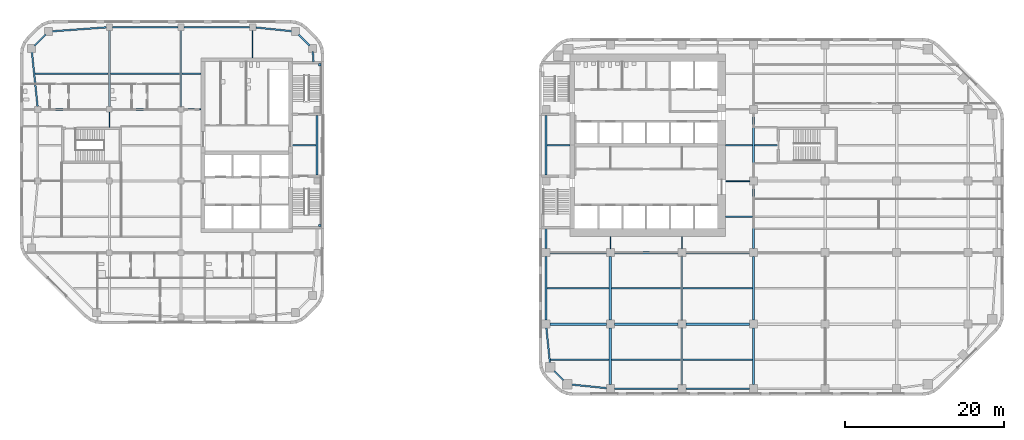
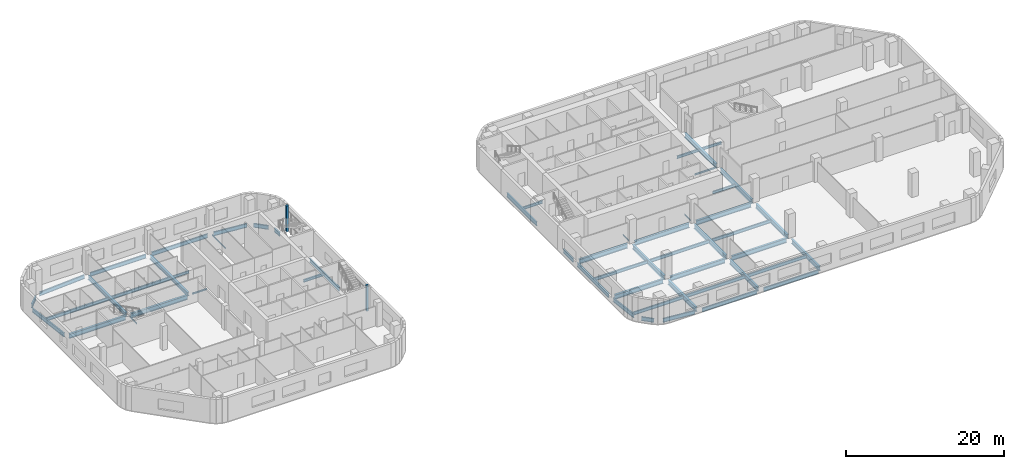
# One storey, part 2 of 15: 55 beams, 2 members.
"""IFC4 building model written with IfcOpenShell, lengths in metres."""

from ifc_helpers import new_model, si_unit, direction, frame, origin, origin_2d, place, context, subcontext, project, spatial, rectangle, i_section, extrude, material, material_profile, profile_set, type_object, element, save


model = new_model("IFC4")

# Units and contexts
model_context = context("Model", 3, precision=1e-05, world=origin(), true_north=direction((0.0, 1.0)))
body_context = subcontext(model_context, "Body", "Model", "MODEL_VIEW")
ifc_project = project(units=[si_unit("LENGTHUNIT", "METRE"), si_unit("AREAUNIT", "SQUARE_METRE"), si_unit("VOLUMEUNIT", "CUBIC_METRE"), si_unit("PLANEANGLEUNIT", "RADIAN"), si_unit("MASSUNIT", "GRAM", prefix="KILO")], contexts=[model_context])

# Site, building, storey
site_placement = place(None, origin())
site = spatial("IfcSite", under=ifc_project, at=site_placement, CompositionType="ELEMENT")
building_placement = place(site_placement, origin())
building = spatial("IfcBuilding", under=site, at=building_placement, Name="Cinnabar Reach Civic Tower", CompositionType="ELEMENT")
storey_placement = place(building_placement, frame((0.0, 0.0, 91.0)))
storey = spatial("IfcBuildingStorey", under=building, at=storey_placement, Name="L21", CompositionType="ELEMENT", Elevation=91.0)

# Beams
ifc_material_1 = material(Name="Steel Q355B", Category="steel")
ifc_material_profile_1 = material_profile(ifc_material_1, i_section(OverallWidth=0.302, OverallDepth=0.594, WebThickness=0.014, FlangeThickness=0.023, FilletRadius=0.016, at=origin_2d()), Name="HM594x302x14x23")
ifc_profile_set_1 = profile_set([ifc_material_profile_1], Name="Steel Q355B")
beam_type_1 = type_object("IfcBeamType", Name="HM594x302x14x23 beam R 120", PredefinedType="BEAM", material=ifc_profile_set_1)
for number, where, z_axis, x_axis, name in (
    (1, (-54.0, 36.352, -0.447), (0.0, 1.0, 0.0), (-1.0, 0.0, 0.0), "Girder T2 L21 5"),
    (2, (-45.0, 36.352, -0.447), (0.0, 1.0, 0.0), (-1.0, 0.0, 0.0), "Girder T2 L21 9"),
):
    element("IfcBeam", number, at=place(storey_placement, frame(where, z_axis=z_axis, x_axis=x_axis)), inside=storey, type_object=beam_type_1, Name=name, PredefinedType="BEAM", context=body_context, shape_type="SweptSolid", body=[
        extrude(i_section(OverallWidth=0.302, OverallDepth=0.594, WebThickness=0.014, FlangeThickness=0.023, FilletRadius=0.016, at=origin_2d()), origin(), (0.0, 0.0, 1.0), 9.596),
    ])
ifc_material_profile_2 = material_profile(ifc_material_1, i_section(OverallWidth=0.099, OverallDepth=0.198, WebThickness=0.0045, FlangeThickness=0.007, FilletRadius=0.013, at=origin_2d()), Name="HN200x100x5.5x8")
ifc_profile_set_2 = profile_set([ifc_material_profile_2], Name="Steel Q355B")
beam_type_2 = type_object("IfcBeamType", Name="HN200x100x5.5x8 beam R 120", PredefinedType="BEAM", material=ifc_profile_set_2)
beam_1_placement = place(storey_placement, frame((-54.0, 33.752, -0.249), z_axis=(0.0, 1.0, 0.0), x_axis=(-1.0, 0.0, 0.0)))
element("IfcBeam", 3, at=beam_1_placement, inside=storey, type_object=beam_type_2, Name="Girder T2 L21 4", PredefinedType="BEAM", context=body_context, shape_type="SweptSolid", body=[
    extrude(i_section(OverallWidth=0.099, OverallDepth=0.198, WebThickness=0.0045, FlangeThickness=0.007, FilletRadius=0.013, at=origin_2d()), origin(), (0.0, 0.0, 1.0), 1.896),
])
beam_2_placement = place(storey_placement, frame((-36.0, 42.502, -0.249), z_axis=(0.0, 1.0, 0.0), x_axis=(-1.0, 0.0, 0.0)))
element("IfcBeam", 4, at=beam_2_placement, inside=storey, type_object=beam_type_2, Name="Girder T2 L21 12", PredefinedType="BEAM", context=body_context, shape_type="SweptSolid", body=[
    extrude(i_section(OverallWidth=0.099, OverallDepth=0.198, WebThickness=0.0045, FlangeThickness=0.007, FilletRadius=0.013, at=origin_2d()), origin(), (0.0, 0.0, 1.0), 3.446),
])
ifc_material_profile_3 = material_profile(ifc_material_1, i_section(OverallWidth=0.099, OverallDepth=0.198, WebThickness=0.0045, FlangeThickness=0.007, FilletRadius=0.013, at=origin_2d()), Name="HN200x100x5.5x8")
ifc_profile_set_3 = profile_set([ifc_material_profile_3], Name="Steel Q355B")
beam_type_3 = type_object("IfcBeamType", Name="HN200x100x5.5x8 beam R 180", PredefinedType="BEAM", material=ifc_profile_set_3)
for number, where, z_axis, x_axis, name in (
    (5, (9.0, 18.502, -0.249), (0.0, 1.0, 0.0), (-1.0, 0.0, 0.0), "Girder T1 L21 3"),
    (6, (18.0, 18.502, -0.249), (0.0, 1.0, 0.0), (-1.0, 0.0, 0.0), "Girder T1 L21 6"),
):
    element("IfcBeam", number, at=place(storey_placement, frame(where, z_axis=z_axis, x_axis=x_axis)), inside=storey, type_object=beam_type_3, Name=name, PredefinedType="BEAM", context=body_context, shape_type="SweptSolid", body=[
        extrude(i_section(OverallWidth=0.099, OverallDepth=0.198, WebThickness=0.0045, FlangeThickness=0.007, FilletRadius=0.013, at=origin_2d()), origin(), (0.0, 0.0, 1.0), 1.496),
    ])
ifc_material_profile_4 = material_profile(ifc_material_1, i_section(OverallWidth=0.124, OverallDepth=0.248, WebThickness=0.005, FlangeThickness=0.008, FilletRadius=0.013, at=origin_2d()), Name="HN250x125x6x9")
ifc_profile_set_4 = profile_set([ifc_material_profile_4], Name="Steel Q355B")
beam_type_4 = type_object("IfcBeamType", Name="HN250x125x6x9 beam R 120", PredefinedType="BEAM", material=ifc_profile_set_4)
beam_3_placement = place(storey_placement, frame((-44.648, 36.0, -0.274), z_axis=(1.0, 0.0, 0.0), x_axis=(0.0, 1.0, 0.0)))
element("IfcBeam", 7, at=beam_3_placement, inside=storey, type_object=beam_type_4, Name="Girder T2 L21 10", PredefinedType="BEAM", context=body_context, shape_type="SweptSolid", body=[
    extrude(i_section(OverallWidth=0.124, OverallDepth=0.248, WebThickness=0.005, FlangeThickness=0.008, FilletRadius=0.013, at=origin_2d()), origin(), (0.0, 0.0, 1.0), 2.146),
])
ifc_material_profile_5 = material_profile(ifc_material_1, i_section(OverallWidth=0.124, OverallDepth=0.248, WebThickness=0.005, FlangeThickness=0.008, FilletRadius=0.013, at=origin_2d()), Name="HN250x125x6x9")
ifc_profile_set_5 = profile_set([ifc_material_profile_5], Name="Steel Q355B")
beam_type_5 = type_object("IfcBeamType", Name="HN250x125x6x9 beam R 180", PredefinedType="BEAM", material=ifc_profile_set_5)
beam_4_placement = place(storey_placement, frame((23.502, 27.0, -0.274), z_axis=(1.0, 0.0, 0.0), x_axis=(0.0, 1.0, 0.0)))
element("IfcBeam", 8, at=beam_4_placement, inside=storey, type_object=beam_type_5, Name="Girder T1 L21 15", PredefinedType="BEAM", context=body_context, shape_type="SweptSolid", body=[
    extrude(i_section(OverallWidth=0.124, OverallDepth=0.248, WebThickness=0.005, FlangeThickness=0.008, FilletRadius=0.013, at=origin_2d()), origin(), (0.0, 0.0, 1.0), 2.996),
])
ifc_material_profile_6 = material_profile(ifc_material_1, i_section(OverallWidth=0.199, OverallDepth=0.396, WebThickness=0.007, FlangeThickness=0.011, FilletRadius=0.013, at=origin_2d()), Name="HN396x199x7x11")
ifc_profile_set_6 = profile_set([ifc_material_profile_6], Name="Steel Q355B")
beam_type_6 = type_object("IfcBeamType", Name="HN396x199x7x11 beam R 120", PredefinedType="BEAM", material=ifc_profile_set_6)
beam_5_placement = place(storey_placement, frame((-30.998, 31.5, -0.348), z_axis=(1.0, 0.0, 0.0), x_axis=(0.0, 1.0, 0.0)))
element("IfcBeam", 9, at=beam_5_placement, inside=storey, type_object=beam_type_6, Name="Secondary beam T2 L21 11", PredefinedType="BEAM", context=body_context, shape_type="SweptSolid", body=[
    extrude(i_section(OverallWidth=0.199, OverallDepth=0.396, WebThickness=0.007, FlangeThickness=0.011, FilletRadius=0.013, at=origin_2d()), origin(), (0.0, 0.0, 1.0), 2.996),
])
beam_6_placement = place(storey_placement, frame((-44.847, 40.5, -0.348), z_axis=(1.0, 0.0, 0.0), x_axis=(0.0, 1.0, 0.0)))
element("IfcBeam", 10, at=beam_6_placement, inside=storey, type_object=beam_type_6, Name="Secondary beam T2 L21 14", PredefinedType="BEAM", context=body_context, shape_type="SweptSolid", body=[
    extrude(i_section(OverallWidth=0.199, OverallDepth=0.396, WebThickness=0.007, FlangeThickness=0.011, FilletRadius=0.013, at=origin_2d()), origin(), (0.0, 0.0, 1.0), 2.345),
])
ifc_material_profile_7 = material_profile(ifc_material_1, i_section(OverallWidth=0.2, OverallDepth=0.4, WebThickness=0.008, FlangeThickness=0.013, FilletRadius=0.016, at=origin_2d()), Name="HN400x200x8x13")
ifc_profile_set_7 = profile_set([ifc_material_profile_7], Name="Steel Q355B")
beam_type_7 = type_object("IfcBeamType", Name="HN400x200x8x13 beam R 180", PredefinedType="BEAM", material=ifc_profile_set_7)
beam_7_placement = place(storey_placement, frame((23.502, 22.5, -0.35), z_axis=(1.0, 0.0, 0.0), x_axis=(0.0, 1.0, 0.0)))
element("IfcBeam", 11, at=beam_7_placement, inside=storey, type_object=beam_type_7, Name="Secondary beam T1 L21 14", PredefinedType="BEAM", context=body_context, shape_type="SweptSolid", body=[
    extrude(i_section(OverallWidth=0.2, OverallDepth=0.4, WebThickness=0.008, FlangeThickness=0.013, FilletRadius=0.016, at=origin_2d()), origin(), (0.0, 0.0, 1.0), 3.346),
])
beam_8_placement = place(storey_placement, frame((1.002, 31.5, -0.35), z_axis=(1.0, 0.0, 0.0), x_axis=(0.0, 1.0, 0.0)))
element("IfcBeam", 12, at=beam_8_placement, inside=storey, type_object=beam_type_7, Name="Secondary beam T1 L21 19", PredefinedType="BEAM", context=body_context, shape_type="SweptSolid", body=[
    extrude(i_section(OverallWidth=0.2, OverallDepth=0.4, WebThickness=0.008, FlangeThickness=0.013, FilletRadius=0.016, at=origin_2d()), origin(), (0.0, 0.0, 1.0), 2.896),
])
beam_9_placement = place(storey_placement, frame((23.502, 31.5, -0.35), z_axis=(1.0, 0.0, 0.0), x_axis=(0.0, 1.0, 0.0)))
element("IfcBeam", 13, at=beam_9_placement, inside=storey, type_object=beam_type_7, Name="Secondary beam T1 L21 20", PredefinedType="BEAM", context=body_context, shape_type="SweptSolid", body=[
    extrude(i_section(OverallWidth=0.2, OverallDepth=0.4, WebThickness=0.008, FlangeThickness=0.013, FilletRadius=0.016, at=origin_2d()), origin(), (0.0, 0.0, 1.0), 3.346),
])
beam_10_placement = place(storey_placement, frame((27.152, 31.5, -0.35), z_axis=(1.0, 0.0, 0.0), x_axis=(0.0, 1.0, 0.0)))
element("IfcBeam", 14, at=beam_10_placement, inside=storey, type_object=beam_type_7, Name="Secondary beam T1 L21 21", PredefinedType="BEAM", context=body_context, shape_type="SweptSolid", body=[
    extrude(i_section(OverallWidth=0.2, OverallDepth=0.4, WebThickness=0.008, FlangeThickness=0.013, FilletRadius=0.016, at=origin_2d()), origin(), (0.0, 0.0, 1.0), 2.846),
])
ifc_material_profile_8 = material_profile(ifc_material_1, i_section(OverallWidth=0.199, OverallDepth=0.496, WebThickness=0.009, FlangeThickness=0.014, FilletRadius=0.016, at=origin_2d()), Name="HN496x199x9x14")
ifc_profile_set_8 = profile_set([ifc_material_profile_8], Name="Steel Q355B")
beam_type_8 = type_object("IfcBeamType", Name="HN496x199x9x14 beam R 120", PredefinedType="BEAM", material=ifc_profile_set_8)
beam_11_placement = place(storey_placement, frame((-63.3663, 40.5, -0.398), z_axis=(1.0, 0.0, 0.0), x_axis=(0.0, 1.0, 0.0)))
element("IfcBeam", 15, at=beam_11_placement, inside=storey, type_object=beam_type_8, Name="Secondary beam T2 L21 12", PredefinedType="BEAM", context=body_context, shape_type="SweptSolid", body=[
    extrude(i_section(OverallWidth=0.199, OverallDepth=0.496, WebThickness=0.009, FlangeThickness=0.014, FilletRadius=0.016, at=origin_2d()), origin(), (0.0, 0.0, 1.0), 9.2133),
])
beam_12_placement = place(storey_placement, frame((-53.847, 40.5, -0.398), z_axis=(1.0, 0.0, 0.0), x_axis=(0.0, 1.0, 0.0)))
element("IfcBeam", 16, at=beam_12_placement, inside=storey, type_object=beam_type_8, Name="Secondary beam T2 L21 13", PredefinedType="BEAM", context=body_context, shape_type="SweptSolid", body=[
    extrude(i_section(OverallWidth=0.199, OverallDepth=0.496, WebThickness=0.009, FlangeThickness=0.014, FilletRadius=0.016, at=origin_2d()), origin(), (0.0, 0.0, 1.0), 8.694),
])
ifc_material_profile_9 = material_profile(ifc_material_1, i_section(OverallWidth=0.2, OverallDepth=0.5, WebThickness=0.01, FlangeThickness=0.016, FilletRadius=0.016, at=origin_2d()), Name="HN500x200x10x16")
ifc_profile_set_9 = profile_set([ifc_material_profile_9], Name="Steel Q355B")
beam_type_9 = type_object("IfcBeamType", Name="HN500x200x10x16 beam R 180", PredefinedType="BEAM", material=ifc_profile_set_9)
beam_13_placement = place(storey_placement, frame((1.4636, 4.5, -0.4), z_axis=(1.0, 0.0, 0.0), x_axis=(0.0, 1.0, 0.0)))
element("IfcBeam", 17, at=beam_13_placement, inside=storey, type_object=beam_type_9, Name="Secondary beam T1 L21 1", PredefinedType="BEAM", context=body_context, shape_type="SweptSolid", body=[
    extrude(i_section(OverallWidth=0.2, OverallDepth=0.5, WebThickness=0.01, FlangeThickness=0.016, FilletRadius=0.016, at=origin_2d()), origin(), (0.0, 0.0, 1.0), 7.3844),
])
for number, where, z_axis, x_axis, name in (
    (18, (9.152, 4.5, -0.4), (1.0, 0.0, 0.0), (0.0, 1.0, 0.0), "Secondary beam T1 L21 2"),
    (19, (18.152, 4.5, -0.4), (1.0, 0.0, 0.0), (0.0, 1.0, 0.0), "Secondary beam T1 L21 3"),
):
    element("IfcBeam", number, at=place(storey_placement, frame(where, z_axis=z_axis, x_axis=x_axis)), inside=storey, type_object=beam_type_9, Name=name, PredefinedType="BEAM", context=body_context, shape_type="SweptSolid", body=[
        extrude(i_section(OverallWidth=0.2, OverallDepth=0.5, WebThickness=0.01, FlangeThickness=0.016, FilletRadius=0.016, at=origin_2d()), origin(), (0.0, 0.0, 1.0), 8.696),
    ])
beam_14_placement = place(storey_placement, frame((1.002, 13.5, -0.4), z_axis=(1.0, 0.0, 0.0), x_axis=(0.0, 1.0, 0.0)))
element("IfcBeam", 20, at=beam_14_placement, inside=storey, type_object=beam_type_9, Name="Secondary beam T1 L21 7", PredefinedType="BEAM", context=body_context, shape_type="SweptSolid", body=[
    extrude(i_section(OverallWidth=0.2, OverallDepth=0.5, WebThickness=0.01, FlangeThickness=0.016, FilletRadius=0.016, at=origin_2d()), origin(), (0.0, 0.0, 1.0), 7.846),
])
for number, where, z_axis, x_axis, name in (
    (21, (9.152, 13.5, -0.4), (1.0, 0.0, 0.0), (0.0, 1.0, 0.0), "Secondary beam T1 L21 8"),
    (22, (18.152, 13.5, -0.4), (1.0, 0.0, 0.0), (0.0, 1.0, 0.0), "Secondary beam T1 L21 9"),
):
    element("IfcBeam", number, at=place(storey_placement, frame(where, z_axis=z_axis, x_axis=x_axis)), inside=storey, type_object=beam_type_9, Name=name, PredefinedType="BEAM", context=body_context, shape_type="SweptSolid", body=[
        extrude(i_section(OverallWidth=0.2, OverallDepth=0.5, WebThickness=0.01, FlangeThickness=0.016, FilletRadius=0.016, at=origin_2d()), origin(), (0.0, 0.0, 1.0), 8.696),
    ])
ifc_material_profile_10 = material_profile(ifc_material_1, i_section(OverallWidth=0.2, OverallDepth=0.6, WebThickness=0.011, FlangeThickness=0.017, FilletRadius=0.016, at=origin_2d()), Name="HN600x200x11x17")
ifc_profile_set_10 = profile_set([ifc_material_profile_10], Name="Steel Q355B")
beam_type_10 = type_object("IfcBeamType", Name="HN600x200x11x17 beam R 120", PredefinedType="BEAM", material=ifc_profile_set_10)
beam_15_placement = place(storey_placement, frame((-27.9, 27.752, -0.45), z_axis=(0.0, 1.0, 0.0), x_axis=(-1.0, 0.0, 0.0)))
element("IfcBeam", 23, at=beam_15_placement, inside=storey, type_object=beam_type_10, Name="Edge beam T2 L21 7", PredefinedType="BEAM", context=body_context, shape_type="SweptSolid", body=[
    extrude(i_section(OverallWidth=0.2, OverallDepth=0.6, WebThickness=0.011, FlangeThickness=0.017, FilletRadius=0.016, at=origin_2d()), origin(), (0.0, 0.0, 1.0), 7.496),
])
beam_16_placement = place(storey_placement, frame((-28.3341, 42.002, -0.45), z_axis=(-0.072116143061, 0.997396241175, 0.0), x_axis=(-0.997396241175, -0.072116143061, 0.0)))
element("IfcBeam", 24, at=beam_16_placement, inside=storey, type_object=beam_type_10, Name="Edge beam T2 L21 8", PredefinedType="BEAM", context=body_context, shape_type="SweptSolid", body=[
    extrude(i_section(OverallWidth=0.2, OverallDepth=0.6, WebThickness=0.011, FlangeThickness=0.017, FilletRadius=0.016, at=origin_2d()), origin(), (0.0, 0.0, 1.0), 1.2674),
])
beam_17_placement = place(storey_placement, frame((-28.8351, 44.0301, -0.45), z_axis=(-0.707106781187, 0.707106781187, 0.0), x_axis=(-0.707106781187, -0.707106781187, 0.0)))
element("IfcBeam", 25, at=beam_17_placement, inside=storey, type_object=beam_type_10, Name="Edge beam T2 L21 9", PredefinedType="BEAM", context=body_context, shape_type="SweptSolid", body=[
    extrude(i_section(OverallWidth=0.2, OverallDepth=0.6, WebThickness=0.011, FlangeThickness=0.017, FilletRadius=0.016, at=origin_2d()), origin(), (0.0, 0.0, 1.0), 1.9584),
])
beam_18_placement = place(storey_placement, frame((-30.9839, 45.836, -0.45), z_axis=(-0.994791084875, 0.101934770579, 0.0), x_axis=(-0.101934770579, -0.994791084875, 0.0)))
element("IfcBeam", 26, at=beam_18_placement, inside=storey, type_object=beam_type_10, Name="Edge beam T2 L21 10", PredefinedType="BEAM", context=body_context, shape_type="SweptSolid", body=[
    extrude(i_section(OverallWidth=0.2, OverallDepth=0.6, WebThickness=0.011, FlangeThickness=0.017, FilletRadius=0.016, at=origin_2d()), origin(), (0.0, 0.0, 1.0), 4.6383),
])
for number, where, z_axis, x_axis, name in (
    (27, (-36.402, 46.35, -0.45), (-1.0, 0.0, 0.0), (0.0, -1.0, 0.0), "Edge beam T2 L21 11"),
    (28, (-45.402, 46.35, -0.45), (-1.0, 0.0, 0.0), (0.0, -1.0, 0.0), "Edge beam T2 L21 12"),
):
    element("IfcBeam", number, at=place(storey_placement, frame(where, z_axis=z_axis, x_axis=x_axis)), inside=storey, type_object=beam_type_10, Name=name, PredefinedType="BEAM", context=body_context, shape_type="SweptSolid", body=[
        extrude(i_section(OverallWidth=0.2, OverallDepth=0.6, WebThickness=0.011, FlangeThickness=0.017, FilletRadius=0.016, at=origin_2d()), origin(), (0.0, 0.0, 1.0), 8.196),
    ])
beam_19_placement = place(storey_placement, frame((-54.402, 46.3209, -0.45), z_axis=(-0.997395244781, -0.072129922278, 0.0), x_axis=(0.072129922278, -0.997395244781, 0.0)))
element("IfcBeam", 29, at=beam_19_placement, inside=storey, type_object=beam_type_10, Name="Edge beam T2 L21 13", PredefinedType="BEAM", context=body_context, shape_type="SweptSolid", body=[
    extrude(i_section(OverallWidth=0.2, OverallDepth=0.6, WebThickness=0.011, FlangeThickness=0.017, FilletRadius=0.016, at=origin_2d()), origin(), (0.0, 0.0, 1.0), 6.882),
])
beam_20_placement = place(storey_placement, frame((-62.0301, 45.4149, -0.45), z_axis=(-0.707106781187, -0.707106781187, 0.0), x_axis=(0.707106781187, -0.707106781187, 0.0)))
element("IfcBeam", 30, at=beam_20_placement, inside=storey, type_object=beam_type_10, Name="Edge beam T2 L21 14", PredefinedType="BEAM", context=body_context, shape_type="SweptSolid", body=[
    extrude(i_section(OverallWidth=0.2, OverallDepth=0.6, WebThickness=0.011, FlangeThickness=0.017, FilletRadius=0.016, at=origin_2d()), origin(), (0.0, 0.0, 1.0), 1.9584),
])
beam_21_placement = place(storey_placement, frame((-63.7571, 43.2661, -0.45), z_axis=(0.103633260175, -0.994615577691, 0.0), x_axis=(0.994615577691, 0.103633260175, 0.0)))
element("IfcBeam", 31, at=beam_21_placement, inside=storey, type_object=beam_type_10, Name="Edge beam T2 L21 15", PredefinedType="BEAM", context=body_context, shape_type="SweptSolid", body=[
    extrude(i_section(OverallWidth=0.2, OverallDepth=0.6, WebThickness=0.011, FlangeThickness=0.017, FilletRadius=0.016, at=origin_2d()), origin(), (0.0, 0.0, 1.0), 6.9013),
])
ifc_material_profile_11 = material_profile(ifc_material_1, i_section(OverallWidth=0.2, OverallDepth=0.6, WebThickness=0.011, FlangeThickness=0.017, FilletRadius=0.016, at=origin_2d()), Name="HN600x200x11x17")
ifc_profile_set_11 = profile_set([ifc_material_profile_11], Name="Steel Q355B")
beam_type_11 = type_object("IfcBeamType", Name="HN600x200x11x17 beam R 180", PredefinedType="BEAM", material=ifc_profile_set_11)
beam_22_placement = place(storey_placement, frame((4.0839, 1.4037, -0.45), z_axis=(0.994791228755, -0.101933366432, 0.0), x_axis=(0.101933366432, 0.994791228755, 0.0)))
element("IfcBeam", 32, at=beam_22_placement, inside=storey, type_object=beam_type_11, Name="Edge beam T1 L21 1", PredefinedType="BEAM", context=body_context, shape_type="SweptSolid", body=[
    extrude(i_section(OverallWidth=0.2, OverallDepth=0.6, WebThickness=0.011, FlangeThickness=0.017, FilletRadius=0.016, at=origin_2d()), origin(), (0.0, 0.0, 1.0), 4.4372),
])
for number, where, z_axis, x_axis, name in (
    (33, (9.502, 0.9, -0.45), (1.0, 0.0, 0.0), (0.0, 1.0, 0.0), "Edge beam T1 L21 2"),
    (34, (18.502, 0.9, -0.45), (1.0, 0.0, 0.0), (0.0, 1.0, 0.0), "Edge beam T1 L21 3"),
):
    element("IfcBeam", number, at=place(storey_placement, frame(where, z_axis=z_axis, x_axis=x_axis)), inside=storey, type_object=beam_type_11, Name=name, PredefinedType="BEAM", context=body_context, shape_type="SweptSolid", body=[
        extrude(i_section(OverallWidth=0.2, OverallDepth=0.6, WebThickness=0.011, FlangeThickness=0.017, FilletRadius=0.016, at=origin_2d()), origin(), (0.0, 0.0, 1.0), 7.996),
    ])
beam_23_placement = place(storey_placement, frame((0.9, 35.248, -0.45), z_axis=(0.0, -1.0, 0.0), x_axis=(1.0, 0.0, 0.0)))
element("IfcBeam", 35, at=beam_23_placement, inside=storey, type_object=beam_type_11, Name="Edge beam T1 L21 20", PredefinedType="BEAM", context=body_context, shape_type="SweptSolid", body=[
    extrude(i_section(OverallWidth=0.2, OverallDepth=0.6, WebThickness=0.011, FlangeThickness=0.017, FilletRadius=0.016, at=origin_2d()), origin(), (0.0, 0.0, 1.0), 7.496),
])
beam_24_placement = place(storey_placement, frame((0.9, 20.998, -0.45), z_axis=(0.0, -1.0, 0.0), x_axis=(1.0, 0.0, 0.0)))
element("IfcBeam", 36, at=beam_24_placement, inside=storey, type_object=beam_type_11, Name="Edge beam T1 L21 21", PredefinedType="BEAM", context=body_context, shape_type="SweptSolid", body=[
    extrude(i_section(OverallWidth=0.2, OverallDepth=0.6, WebThickness=0.011, FlangeThickness=0.017, FilletRadius=0.016, at=origin_2d()), origin(), (0.0, 0.0, 1.0), 2.496),
])
beam_25_placement = place(storey_placement, frame((0.9, 17.498, -0.45), z_axis=(0.0, -1.0, 0.0), x_axis=(1.0, 0.0, 0.0)))
element("IfcBeam", 37, at=beam_25_placement, inside=storey, type_object=beam_type_11, Name="Edge beam T1 L21 22", PredefinedType="BEAM", context=body_context, shape_type="SweptSolid", body=[
    extrude(i_section(OverallWidth=0.2, OverallDepth=0.6, WebThickness=0.011, FlangeThickness=0.017, FilletRadius=0.016, at=origin_2d()), origin(), (0.0, 0.0, 1.0), 7.996),
])
beam_26_placement = place(storey_placement, frame((0.9514, 8.498, -0.45), z_axis=(0.101933366432, -0.994791228755, 0.0), x_axis=(0.994791228755, 0.101933366432, 0.0)))
element("IfcBeam", 38, at=beam_26_placement, inside=storey, type_object=beam_type_11, Name="Edge beam T1 L21 23", PredefinedType="BEAM", context=body_context, shape_type="SweptSolid", body=[
    extrude(i_section(OverallWidth=0.2, OverallDepth=0.6, WebThickness=0.011, FlangeThickness=0.017, FilletRadius=0.016, at=origin_2d()), origin(), (0.0, 0.0, 1.0), 4.4372),
])
beam_27_placement = place(storey_placement, frame((1.9351, 3.1199, -0.45), z_axis=(0.707106781187, -0.707106781187, 0.0), x_axis=(0.707106781187, 0.707106781187, 0.0)))
element("IfcBeam", 39, at=beam_27_placement, inside=storey, type_object=beam_type_11, Name="Edge beam T1 L21 24", PredefinedType="BEAM", context=body_context, shape_type="SweptSolid", body=[
    extrude(i_section(OverallWidth=0.2, OverallDepth=0.6, WebThickness=0.011, FlangeThickness=0.017, FilletRadius=0.016, at=origin_2d()), origin(), (0.0, 0.0, 1.0), 1.6756),
])
ifc_material_profile_12 = material_profile(ifc_material_1, i_section(OverallWidth=0.3, OverallDepth=0.692, WebThickness=0.013, FlangeThickness=0.02, FilletRadius=0.016, at=origin_2d()), Name="HN692x300x13x20")
ifc_profile_set_12 = profile_set([ifc_material_profile_12], Name="Steel Q355B")
beam_type_12 = type_object("IfcBeamType", Name="HN692x300x13x20 beam R 120", PredefinedType="BEAM", material=ifc_profile_set_12)
beam_28_placement = place(storey_placement, frame((-62.598, 36.0, -0.496), z_axis=(1.0, 0.0, 0.0), x_axis=(0.0, 1.0, 0.0)))
element("IfcBeam", 40, at=beam_28_placement, inside=storey, type_object=beam_type_12, Name="Girder T2 L21 8", PredefinedType="BEAM", context=body_context, shape_type="SweptSolid", body=[
    extrude(i_section(OverallWidth=0.3, OverallDepth=0.692, WebThickness=0.013, FlangeThickness=0.02, FilletRadius=0.016, at=origin_2d()), origin(), (0.0, 0.0, 1.0), 8.246),
])
beam_29_placement = place(storey_placement, frame((-53.648, 36.0, -0.496), z_axis=(1.0, 0.0, 0.0), x_axis=(0.0, 1.0, 0.0)))
element("IfcBeam", 41, at=beam_29_placement, inside=storey, type_object=beam_type_12, Name="Girder T2 L21 9", PredefinedType="BEAM", context=body_context, shape_type="SweptSolid", body=[
    extrude(i_section(OverallWidth=0.3, OverallDepth=0.692, WebThickness=0.013, FlangeThickness=0.02, FilletRadius=0.016, at=origin_2d()), origin(), (0.0, 0.0, 1.0), 8.296),
])
ifc_material_profile_13 = material_profile(ifc_material_1, i_section(OverallWidth=0.3, OverallDepth=0.692, WebThickness=0.013, FlangeThickness=0.02, FilletRadius=0.016, at=origin_2d()), Name="HN692x300x13x20")
ifc_profile_set_13 = profile_set([ifc_material_profile_13], Name="Steel Q355B")
beam_type_13 = type_object("IfcBeamType", Name="HN692x300x13x20 beam R 180", PredefinedType="BEAM", material=ifc_profile_set_13)
beam_30_placement = place(storey_placement, frame((9.0, 1.402, -0.496), z_axis=(0.0, 1.0, 0.0), x_axis=(-1.0, 0.0, 0.0)))
element("IfcBeam", 42, at=beam_30_placement, inside=storey, type_object=beam_type_13, Name="Girder T1 L21 1", PredefinedType="BEAM", context=body_context, shape_type="SweptSolid", body=[
    extrude(i_section(OverallWidth=0.3, OverallDepth=0.692, WebThickness=0.013, FlangeThickness=0.02, FilletRadius=0.016, at=origin_2d()), origin(), (0.0, 0.0, 1.0), 7.096),
])
beam_31_placement = place(storey_placement, frame((9.0, 9.502, -0.496), z_axis=(0.0, 1.0, 0.0), x_axis=(-1.0, 0.0, 0.0)))
element("IfcBeam", 43, at=beam_31_placement, inside=storey, type_object=beam_type_13, Name="Girder T1 L21 2", PredefinedType="BEAM", context=body_context, shape_type="SweptSolid", body=[
    extrude(i_section(OverallWidth=0.3, OverallDepth=0.692, WebThickness=0.013, FlangeThickness=0.02, FilletRadius=0.016, at=origin_2d()), origin(), (0.0, 0.0, 1.0), 7.996),
])
beam_32_placement = place(storey_placement, frame((18.0, 1.402, -0.496), z_axis=(0.0, 1.0, 0.0), x_axis=(-1.0, 0.0, 0.0)))
element("IfcBeam", 44, at=beam_32_placement, inside=storey, type_object=beam_type_13, Name="Girder T1 L21 4", PredefinedType="BEAM", context=body_context, shape_type="SweptSolid", body=[
    extrude(i_section(OverallWidth=0.3, OverallDepth=0.692, WebThickness=0.013, FlangeThickness=0.02, FilletRadius=0.016, at=origin_2d()), origin(), (0.0, 0.0, 1.0), 7.096),
])
beam_33_placement = place(storey_placement, frame((18.0, 9.502, -0.496), z_axis=(0.0, 1.0, 0.0), x_axis=(-1.0, 0.0, 0.0)))
element("IfcBeam", 45, at=beam_33_placement, inside=storey, type_object=beam_type_13, Name="Girder T1 L21 5", PredefinedType="BEAM", context=body_context, shape_type="SweptSolid", body=[
    extrude(i_section(OverallWidth=0.3, OverallDepth=0.692, WebThickness=0.013, FlangeThickness=0.02, FilletRadius=0.016, at=origin_2d()), origin(), (0.0, 0.0, 1.0), 7.996),
])
beam_34_placement = place(storey_placement, frame((27.0, 1.402, -0.496), z_axis=(0.0, 1.0, 0.0), x_axis=(-1.0, 0.0, 0.0)))
element("IfcBeam", 46, at=beam_34_placement, inside=storey, type_object=beam_type_13, Name="Girder T1 L21 7", PredefinedType="BEAM", context=body_context, shape_type="SweptSolid", body=[
    extrude(i_section(OverallWidth=0.3, OverallDepth=0.692, WebThickness=0.013, FlangeThickness=0.02, FilletRadius=0.016, at=origin_2d()), origin(), (0.0, 0.0, 1.0), 7.096),
])
for number, where, z_axis, x_axis, name in (
    (47, (27.0, 9.502, -0.496), (0.0, 1.0, 0.0), (-1.0, 0.0, 0.0), "Girder T1 L21 8"),
    (48, (27.0, 18.502, -0.496), (0.0, 1.0, 0.0), (-1.0, 0.0, 0.0), "Girder T1 L21 9"),
    (49, (27.0, 27.502, -0.496), (0.0, 1.0, 0.0), (-1.0, 0.0, 0.0), "Girder T1 L21 10"),
):
    element("IfcBeam", number, at=place(storey_placement, frame(where, z_axis=z_axis, x_axis=x_axis)), inside=storey, type_object=beam_type_13, Name=name, PredefinedType="BEAM", context=body_context, shape_type="SweptSolid", body=[
        extrude(i_section(OverallWidth=0.3, OverallDepth=0.692, WebThickness=0.013, FlangeThickness=0.02, FilletRadius=0.016, at=origin_2d()), origin(), (0.0, 0.0, 1.0), 7.996),
    ])
ifc_material_profile_14 = material_profile(ifc_material_1, i_section(OverallWidth=0.3, OverallDepth=0.7, WebThickness=0.013, FlangeThickness=0.024, FilletRadius=0.02, at=origin_2d()), Name="HN700x300x13x24")
ifc_profile_set_14 = profile_set([ifc_material_profile_14], Name="Steel Q355B")
beam_type_14 = type_object("IfcBeamType", Name="HN700x300x13x24 beam R 180", PredefinedType="BEAM", material=ifc_profile_set_14)
beam_35_placement = place(storey_placement, frame((1.402, 9.0, -0.5), z_axis=(1.0, 0.0, 0.0), x_axis=(0.0, 1.0, 0.0)))
element("IfcBeam", 50, at=beam_35_placement, inside=storey, type_object=beam_type_14, Name="Girder T1 L21 1", PredefinedType="BEAM", context=body_context, shape_type="SweptSolid", body=[
    extrude(i_section(OverallWidth=0.3, OverallDepth=0.7, WebThickness=0.013, FlangeThickness=0.024, FilletRadius=0.02, at=origin_2d()), origin(), (0.0, 0.0, 1.0), 7.096),
])
for number, where, z_axis, x_axis, name in (
    (51, (9.502, 9.0, -0.5), (1.0, 0.0, 0.0), (0.0, 1.0, 0.0), "Girder T1 L21 2"),
    (52, (18.502, 9.0, -0.5), (1.0, 0.0, 0.0), (0.0, 1.0, 0.0), "Girder T1 L21 3"),
):
    element("IfcBeam", number, at=place(storey_placement, frame(where, z_axis=z_axis, x_axis=x_axis)), inside=storey, type_object=beam_type_14, Name=name, PredefinedType="BEAM", context=body_context, shape_type="SweptSolid", body=[
        extrude(i_section(OverallWidth=0.3, OverallDepth=0.7, WebThickness=0.013, FlangeThickness=0.024, FilletRadius=0.02, at=origin_2d()), origin(), (0.0, 0.0, 1.0), 7.996),
    ])
beam_36_placement = place(storey_placement, frame((1.402, 18.0, -0.5), z_axis=(1.0, 0.0, 0.0), x_axis=(0.0, 1.0, 0.0)))
element("IfcBeam", 53, at=beam_36_placement, inside=storey, type_object=beam_type_14, Name="Girder T1 L21 8", PredefinedType="BEAM", context=body_context, shape_type="SweptSolid", body=[
    extrude(i_section(OverallWidth=0.3, OverallDepth=0.7, WebThickness=0.013, FlangeThickness=0.024, FilletRadius=0.02, at=origin_2d()), origin(), (0.0, 0.0, 1.0), 7.096),
])
for number, where, z_axis, x_axis, name in (
    (54, (9.502, 18.0, -0.5), (1.0, 0.0, 0.0), (0.0, 1.0, 0.0), "Girder T1 L21 9"),
    (55, (18.502, 18.0, -0.5), (1.0, 0.0, 0.0), (0.0, 1.0, 0.0), "Girder T1 L21 10"),
):
    element("IfcBeam", number, at=place(storey_placement, frame(where, z_axis=z_axis, x_axis=x_axis)), inside=storey, type_object=beam_type_14, Name=name, PredefinedType="BEAM", context=body_context, shape_type="SweptSolid", body=[
        extrude(i_section(OverallWidth=0.3, OverallDepth=0.7, WebThickness=0.013, FlangeThickness=0.024, FilletRadius=0.02, at=origin_2d()), origin(), (0.0, 0.0, 1.0), 7.996),
    ])

# Members
ifc_material_2 = material(Name="Concrete C40", Category="concrete")
ifc_material_profile_15 = material_profile(ifc_material_2, rectangle(XDim=0.3, YDim=0.3, at=origin_2d()), Name="C300")
ifc_profile_set_15 = profile_set([ifc_material_profile_15], Name="Concrete C40")
member_type = type_object("IfcMemberType", Name="T2 stair post 300", PredefinedType="STRUT", material=ifc_profile_set_15)
for number, where, z_axis, x_axis, name in (
    (56, (-27.55, 21.4, 0.0), (0.0, 0.0, 1.0), (1.0, 0.0, 0.0), "Stair post 1"),
    (57, (-27.55, 41.6, 0.0), (0.0, 0.0, 1.0), (1.0, 0.0, 0.0), "Stair post 2"),
):
    element("IfcMember", number, at=place(storey_placement, frame(where, z_axis=z_axis, x_axis=x_axis)), inside=storey, type_object=member_type, Name=name, PredefinedType="STRUT", context=body_context, shape_type="SweptSolid", body=[
        extrude(rectangle(XDim=0.3, YDim=0.3, at=origin_2d()), origin(), (0.0, 0.0, 1.0), 4.0),
    ])

save(model, "model.ifc")
